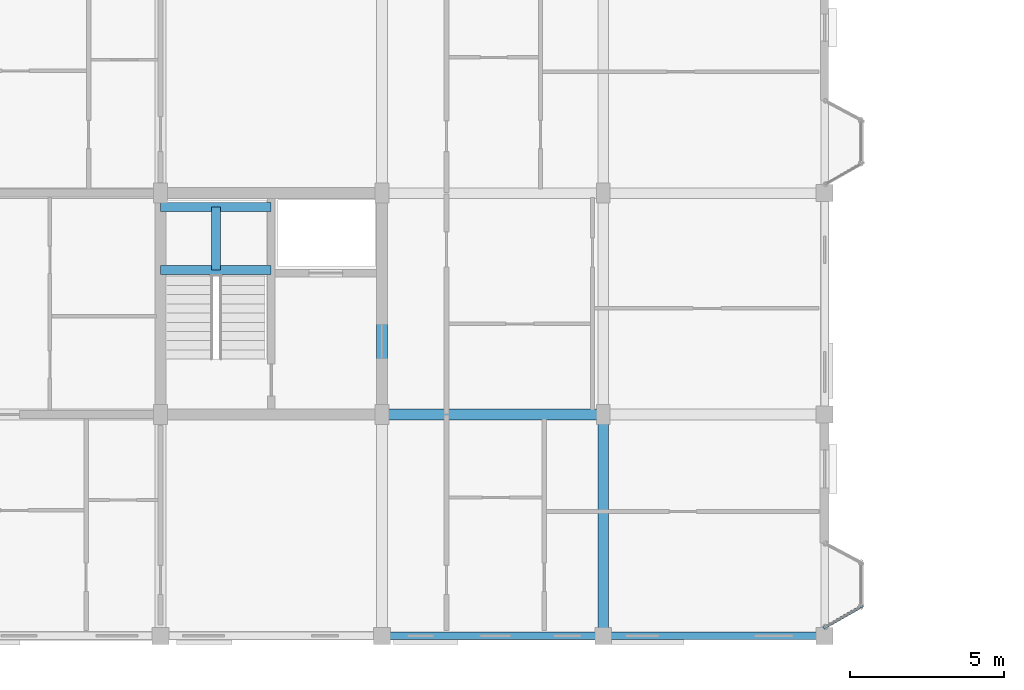
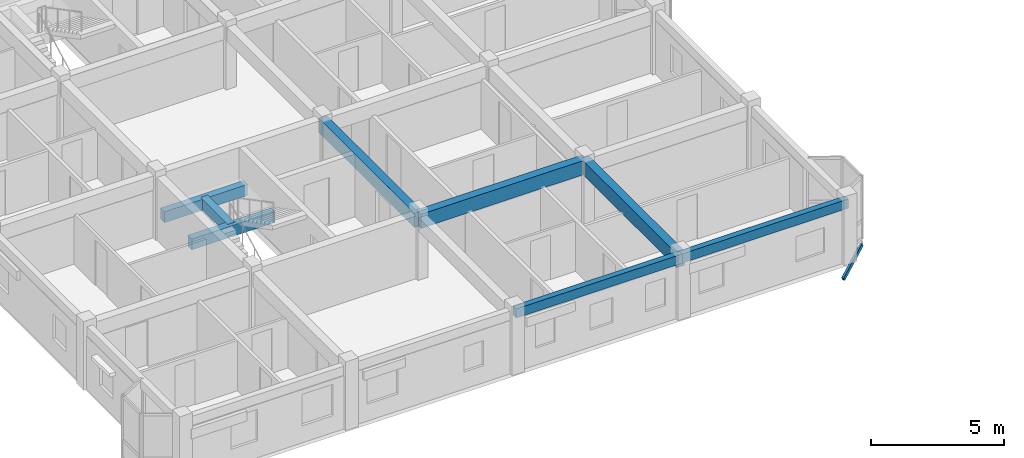
# One storey, part 5 of 77: 8 beams, 1 member.
"""IFC4 building model written with IfcOpenShell, lengths in metres."""

from ifc_helpers import new_model, si_unit, direction, frame, origin, origin_2d, place, context, subcontext, project, spatial, rectangle, hollow_rectangle, extrude, material, material_profile, profile_set, type_object, element, save


model = new_model("IFC4")

# Units and contexts
model_context = context("Model", 3, precision=1e-05, world=origin(), true_north=direction((0.0, 1.0)))
body_context = subcontext(model_context, "Body", "Model", "MODEL_VIEW")
ifc_project = project(units=[si_unit("LENGTHUNIT", "METRE"), si_unit("AREAUNIT", "SQUARE_METRE"), si_unit("VOLUMEUNIT", "CUBIC_METRE"), si_unit("PLANEANGLEUNIT", "RADIAN"), si_unit("MASSUNIT", "GRAM", prefix="KILO"), si_unit("THERMODYNAMICTEMPERATUREUNIT", "KELVIN"), si_unit("POWERUNIT", "WATT")], contexts=[model_context])

# Site, building, storey
site_placement = place(None, origin())
site = spatial("IfcSite", under=ifc_project, at=site_placement, CompositionType="ELEMENT")
building_placement = place(site_placement, origin())
building = spatial("IfcBuilding", under=site, at=building_placement, Name="Tavuni Mirador Residences", CompositionType="ELEMENT")
storey_placement = place(building_placement, frame((0.0, 0.0, 10.800048828125)))
storey = spatial("IfcBuildingStorey", under=building, at=storey_placement, Name="L03", CompositionType="ELEMENT", Elevation=10.800048828125)

# Beams
ifc_material_1 = material(Name="Precast concrete C40/50", Category="concrete")
ifc_material_profile_1 = material_profile(ifc_material_1, rectangle(XDim=0.300048828125, YDim=0.5, at=origin_2d()), Name="PC 300x500", Category="concrete")
ifc_profile_set_1 = profile_set([ifc_material_profile_1], Name="Precast concrete C40/50")
beam_type_1 = type_object("IfcBeamType", Name="BT-B500", PredefinedType="BEAM", material=ifc_profile_set_1)
for number, where, z_axis, x_axis, name in (
    (1, (10.800048828125, 19.10009765625, 1.14501953125), (1.0, 0.0, 0.0), (0.0, 1.0, 0.0), "HLB1-C1-L03"),
    (2, (10.800048828125, 21.14990234375, 1.14501953125), (1.0, 0.0, 0.0), (0.0, 1.0, 0.0), "HLB2-C1-L03"),
):
    element("IfcBeam", number, at=place(storey_placement, frame(where, z_axis=z_axis, x_axis=x_axis)), inside=storey, type_object=beam_type_1, Name=name, PredefinedType="BEAM", context=body_context, shape_type="SweptSolid", body=[
        extrude(rectangle(XDim=0.300048828125, YDim=0.5, at=origin_2d()), origin(), (0.0, 0.0, 1.0), 3.599853515625),
    ])
beam_1_placement = place(storey_placement, frame((12.60009765625, 19.10009765625, 1.14501953125), z_axis=(0.0, 1.0, 0.0), x_axis=(-1.0, 0.0, 0.0)))
element("IfcBeam", 3, at=beam_1_placement, inside=storey, type_object=beam_type_1, Name="HLB3-C1-L03", PredefinedType="BEAM", context=body_context, shape_type="SweptSolid", body=[
    extrude(rectangle(XDim=0.300048828125, YDim=0.5, at=origin_2d()), origin(), (0.0, 0.0, 1.0), 2.0498046875),
])
ifc_material_profile_2 = material_profile(ifc_material_1, rectangle(XDim=0.35009765625, YDim=0.64990234375, at=origin_2d()), Name="PC 350x650", Category="concrete")
ifc_profile_set_2 = profile_set([ifc_material_profile_2], Name="Precast concrete C40/50")
beam_type_2 = type_object("IfcBeamType", Name="BT-B650", PredefinedType="BEAM", material=ifc_profile_set_2)
beam_2_placement = place(storey_placement, frame((18.0, 14.39990234375, 2.544921875), z_axis=(1.0, 0.0, 0.0), x_axis=(0.0, 1.0, 0.0)))
element("IfcBeam", 4, at=beam_2_placement, inside=storey, type_object=beam_type_2, Name="BMX-BLK-A-L03-02-01", PredefinedType="BEAM", context=body_context, shape_type="SweptSolid", body=[
    extrude(rectangle(XDim=0.35009765625, YDim=0.64990234375, at=origin_2d()), origin(), (0.0, 0.0, 1.0), 7.199951171875),
])
beam_3_placement = place(storey_placement, frame((18.0, 14.39990234375, 2.544921875), z_axis=(0.0, 1.0, 0.0), x_axis=(-1.0, 0.0, 0.0)))
element("IfcBeam", 5, at=beam_3_placement, inside=storey, type_object=beam_type_2, Name="BMY-BLK-A-L03-02-01", PredefinedType="BEAM", context=body_context, shape_type="SweptSolid", body=[
    extrude(rectangle(XDim=0.35009765625, YDim=0.64990234375, at=origin_2d()), origin(), (0.0, 0.0, 1.0), 7.2001953125),
])
beam_4_placement = place(storey_placement, frame((25.199951171875, 7.199951171875, 2.544921875), z_axis=(0.0, 1.0, 0.0), x_axis=(-1.0, 0.0, 0.0)))
element("IfcBeam", 6, at=beam_4_placement, inside=storey, type_object=beam_type_2, Name="BMY-BLK-A-L03-03-00", PredefinedType="BEAM", context=body_context, shape_type="SweptSolid", body=[
    extrude(rectangle(XDim=0.35009765625, YDim=0.64990234375, at=origin_2d()), origin(), (0.0, 0.0, 1.0), 7.199951171875),
])
ifc_material_profile_3 = material_profile(ifc_material_1, rectangle(XDim=0.25, YDim=0.419921875, at=origin_2d()), Name="PC 250x420", Category="concrete")
ifc_profile_set_3 = profile_set([ifc_material_profile_3], Name="Precast concrete C40/50")
beam_type_3 = type_object("IfcBeamType", Name="BT-SP420", PredefinedType="SPANDREL", material=ifc_profile_set_3)
for number, where, z_axis, x_axis, name in (
    (7, (18.0, 7.199951171875, 2.659912109375), (1.0, 0.0, 0.0), (0.0, 1.0, 0.0), "BMX-BLK-A-L03-02-00"),
    (8, (25.199951171875, 7.199951171875, 2.659912109375), (1.0, 0.0, 0.0), (0.0, 1.0, 0.0), "BMX-BLK-A-L03-03-00"),
):
    element("IfcBeam", number, at=place(storey_placement, frame(where, z_axis=z_axis, x_axis=x_axis)), inside=storey, type_object=beam_type_3, Name=name, PredefinedType="SPANDREL", context=body_context, shape_type="SweptSolid", body=[
        extrude(rectangle(XDim=0.25, YDim=0.419921875, at=origin_2d()), origin(), (0.0, 0.0, 1.0), 7.199951171875),
    ])

# Member
ifc_material_2 = material(Name="Structural steel S355", Category="steel")
ifc_material_profile_4 = material_profile(ifc_material_2, hollow_rectangle(XDim=0.10009765625, YDim=0.179931640625, WallThickness=0.008056640625, at=origin_2d()), Name="RHS 180x100x8.0", Category="steel")
ifc_profile_set_4 = profile_set([ifc_material_profile_4], Name="Structural steel S355")
member_type = type_object("IfcMemberType", Name="MT-BR-RHS180", PredefinedType="BRACE", material=ifc_profile_set_4)
member_placement = place(storey_placement, frame((32.39990234375, 7.47509765625, -1.050048828125), z_axis=(0.758710666466, 0.432909564572, 0.486772465833), x_axis=(-0.495587053321, 0.868558272415, 0.0)))
element("IfcMember", 9, at=member_placement, inside=storey, type_object=member_type, Name="MBRK-MIR-A-E1-L03-1", PredefinedType="BRACE", context=body_context, shape_type="SweptSolid", body=[
    extrude(hollow_rectangle(XDim=0.10009765625, YDim=0.179931640625, WallThickness=0.008056640625, at=origin_2d()), origin(), (0.0, 0.0, 1.0), 1.581787109375),
])

save(model, "model.ifc")
